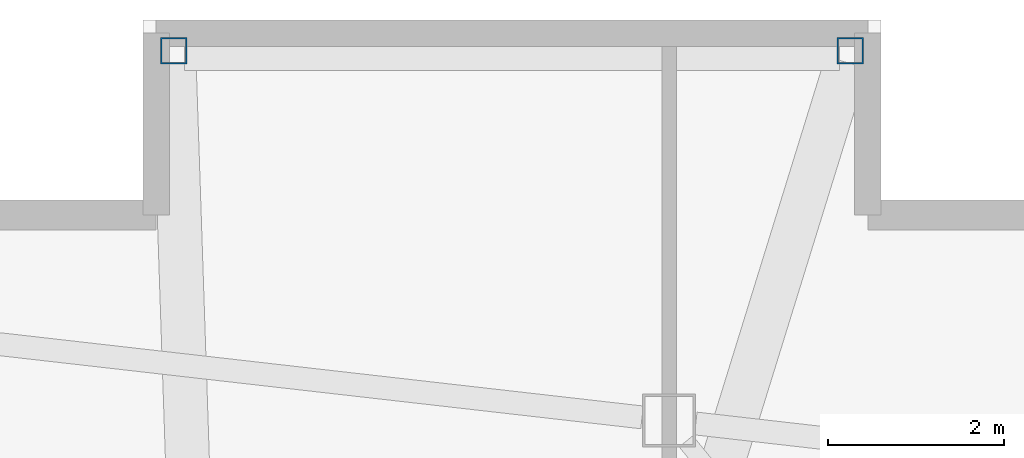
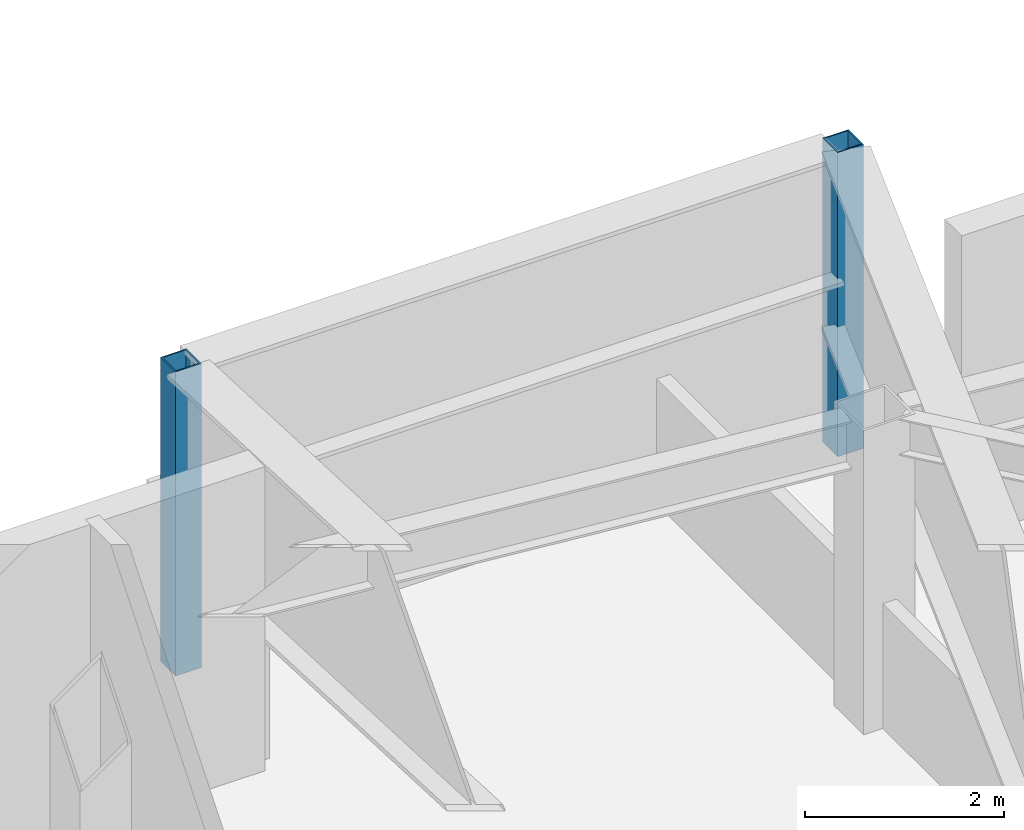
# One storey, part 2 of 18: 2 columns.
"""IFC4 building model written with IfcOpenShell, lengths in metres."""

from ifc_helpers import new_model, si_unit, direction, frame, origin, origin_2d, place, context, subcontext, project, spatial, hollow_rectangle, extrude, material, material_profile, profile_set, type_object, element, save


model = new_model("IFC4")

# Units and contexts
model_context = context("Model", 3, precision=1e-05, world=origin(), true_north=direction((0.0, 1.0)))
body_context = subcontext(model_context, "Body", "Model", "MODEL_VIEW")
ifc_project = project(units=[si_unit("LENGTHUNIT", "METRE"), si_unit("AREAUNIT", "SQUARE_METRE"), si_unit("VOLUMEUNIT", "CUBIC_METRE"), si_unit("PLANEANGLEUNIT", "RADIAN"), si_unit("MASSUNIT", "GRAM", prefix="KILO")], contexts=[model_context])

# Site, building, storey
site_placement = place(None, origin())
site = spatial("IfcSite", under=ifc_project, at=site_placement, CompositionType="ELEMENT")
building_placement = place(site_placement, origin())
building = spatial("IfcBuilding", under=site, at=building_placement, Name="Tavrogorsk Clinical Tower", CompositionType="ELEMENT")
storey_placement = place(building_placement, frame((0.0, 0.0, 180.199951171875)))
storey = spatial("IfcBuildingStorey", under=building, at=storey_placement, Name="L41", CompositionType="ELEMENT", Elevation=180.199951171875)

# Columns
ifc_material = material(Name="Structural steel S390", Category="steel")
ifc_material_profile = material_profile(ifc_material, hollow_rectangle(XDim=0.300048828125, YDim=0.300048828125, WallThickness=0.01611328125, at=origin_2d()), Name="SHS-300x300x16")
ifc_profile_set = profile_set([ifc_material_profile], Name="Structural steel S390")
column_type = type_object("IfcColumnType", Name="DayroomCol_SHS300", PredefinedType="COLUMN", material=ifc_profile_set)
for number, where, z_axis, x_axis, name in (
    (1, (9.550048828125, 28.800048828125, 0.0), (0.0, 0.0, 1.0), (1.0, 0.0, 0.0), "L41 Day-Room Box Column DRB-06-L"),
    (2, (17.25, 28.800048828125, 0.0), (0.0, 0.0, 1.0), (1.0, 0.0, 0.0), "L41 Day-Room Box Column DRB-06-R"),
):
    element("IfcColumn", number, at=place(storey_placement, frame(where, z_axis=z_axis, x_axis=x_axis)), inside=storey, type_object=column_type, Name=name, PredefinedType="COLUMN", context=body_context, shape_type="SweptSolid", body=[
        extrude(hollow_rectangle(XDim=0.300048828125, YDim=0.300048828125, WallThickness=0.01611328125, at=origin_2d()), origin(), (0.0, 0.0, 1.0), 3.739990234375),
    ])

save(model, "model.ifc")
